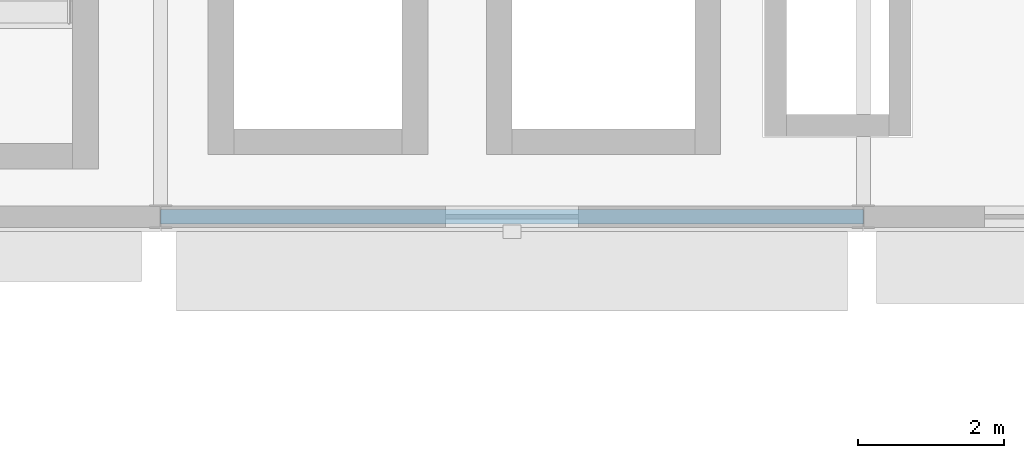
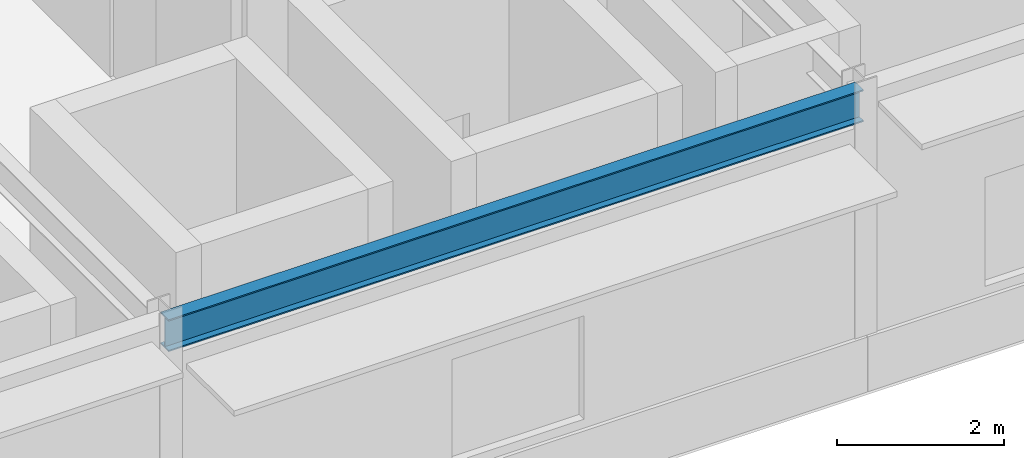
# One storey, part 20 of 89: 1 beam.
"""IFC4 building model written with IfcOpenShell, lengths in metres."""

from ifc_helpers import new_model, si_unit, direction, frame, origin, origin_2d, place, context, subcontext, project, spatial, i_section, extrude, material, material_profile, profile_set, type_object, element, save


model = new_model("IFC4")

# Units and contexts
model_context = context("Model", 3, precision=1e-05, world=origin(), true_north=direction((0.0, 1.0)))
body_context = subcontext(model_context, "Body", "Model", "MODEL_VIEW")
ifc_project = project(units=[si_unit("LENGTHUNIT", "METRE"), si_unit("AREAUNIT", "SQUARE_METRE"), si_unit("VOLUMEUNIT", "CUBIC_METRE"), si_unit("PLANEANGLEUNIT", "RADIAN"), si_unit("MASSUNIT", "GRAM", prefix="KILO")], contexts=[model_context])

# Site, building, storey
site_placement = place(None, origin())
site = spatial("IfcSite", under=ifc_project, at=site_placement, CompositionType="ELEMENT")
building_placement = place(site_placement, origin())
building = spatial("IfcBuilding", under=site, at=building_placement, Name="Almandine Court Research Institute", CompositionType="ELEMENT")
storey_placement = place(building_placement, frame((0.0, 0.0, 18.89990234375)))
storey = spatial("IfcBuildingStorey", under=building, at=storey_placement, Name="L04", CompositionType="ELEMENT", Elevation=18.89990234375)

# Beam
ifc_material = material(Name="Steel ASTM A992 Grade 50", Category="steel")
ifc_material_profile = material_profile(ifc_material, i_section(OverallWidth=0.193115234375, OverallDepth=0.466064453125, WebThickness=0.010986328125, FlangeThickness=0.01904296875, at=origin_2d()), Name="W460x97")
ifc_profile_set = profile_set([ifc_material_profile], Name="Steel ASTM A992 Grade 50")
beam_type = type_object("IfcBeamType", Name="Beam-G-06-E", PredefinedType="SPANDREL", material=ifc_profile_set)
beam_placement = place(storey_placement, frame((15.60009765625, 84.0, 4.13720703125), z_axis=(1.0, 0.0, 0.0), x_axis=(0.0, 1.0, 0.0)))
element("IfcBeam", 1, at=beam_placement, inside=storey, type_object=beam_type, Name="L04 V3 Primary X Girder", PredefinedType="SPANDREL", context=body_context, shape_type="SweptSolid", body=[
    extrude(i_section(OverallWidth=0.193115234375, OverallDepth=0.466064453125, WebThickness=0.010986328125, FlangeThickness=0.01904296875, at=origin_2d()), origin(), (0.0, 0.0, 1.0), 9.599853515625),
])

save(model, "model.ifc")
